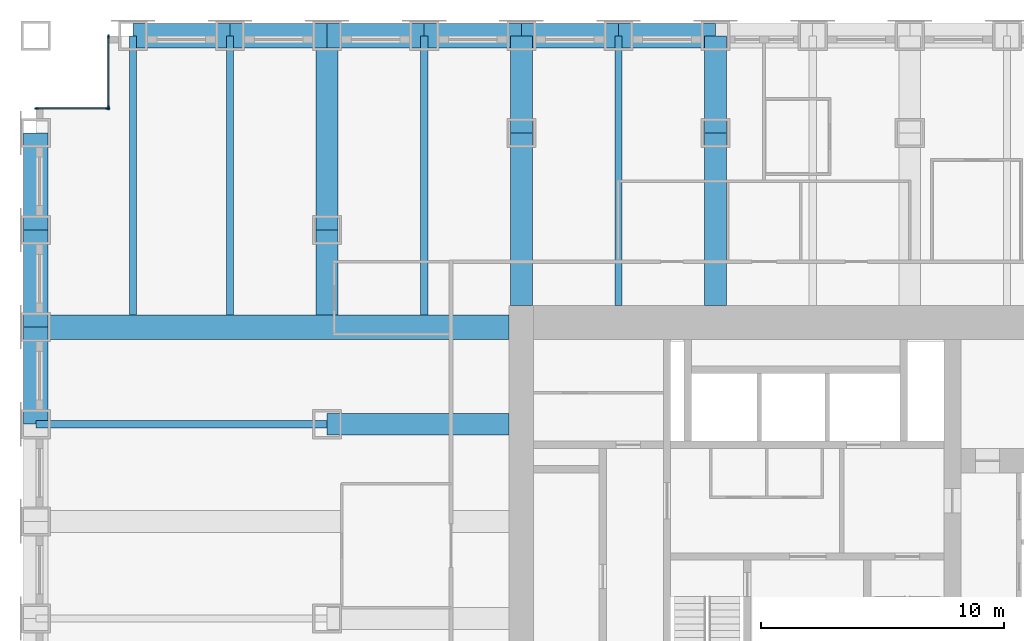
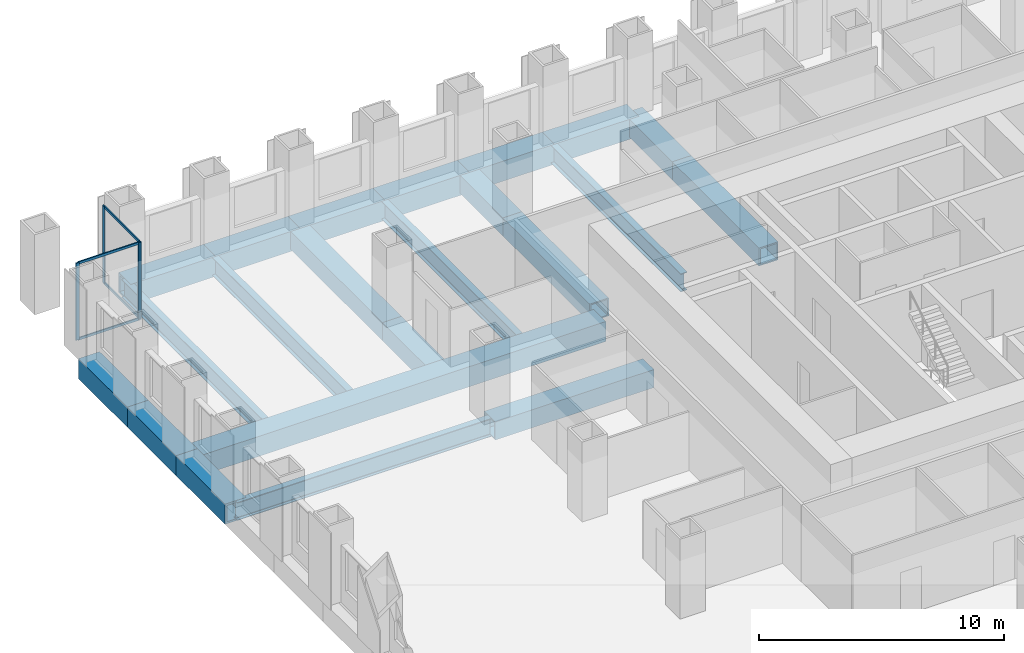
# One storey, part 5 of 14: 22 beams, 8 members, 2 elements without a shape of their own.
"""IFC4 building model written with IfcOpenShell, lengths in metres."""

from ifc_helpers import new_model, si_unit, direction, frame, origin, origin_2d, place, context, subcontext, project, spatial, rectangle, hollow_rectangle, i_section, extrude, material, material_profile, profile_set, type_object, element, aggregate, save


model = new_model("IFC4")

# Units and contexts
model_context = context("Model", 3, precision=1e-05, world=origin(), true_north=direction((0.0, 1.0)))
body_context = subcontext(model_context, "Body", "Model", "MODEL_VIEW")
ifc_project = project(units=[si_unit("LENGTHUNIT", "METRE"), si_unit("AREAUNIT", "SQUARE_METRE"), si_unit("VOLUMEUNIT", "CUBIC_METRE"), si_unit("PLANEANGLEUNIT", "RADIAN"), si_unit("MASSUNIT", "GRAM", prefix="KILO")], contexts=[model_context])

# Site, building, storey
site_placement = place(None, origin())
site = spatial("IfcSite", under=ifc_project, at=site_placement, CompositionType="ELEMENT")
building_placement = place(site_placement, origin())
building = spatial("IfcBuilding", under=site, at=building_placement, Name="Rimbunsela Tower", CompositionType="ELEMENT")
storey_placement = place(building_placement, frame((0.0, 0.0, 55.0)))
storey = spatial("IfcBuildingStorey", under=building, at=storey_placement, Name="L13", CompositionType="ELEMENT", Elevation=55.0)

# Beams
ifc_material_1 = material(Name="Steel BJ 55 (fy 410 MPa)", Category="steel")
ifc_material_profile_1 = material_profile(ifc_material_1, hollow_rectangle(XDim=1.0, YDim=1.0, WallThickness=0.10009765625, at=origin_2d()), Name="BOX 1000x1000x100")
ifc_profile_set_1 = profile_set([ifc_material_profile_1], Name="Steel BJ 55 (fy 410 MPa)")
beam_type_1 = type_object("IfcBeamType", Name="Beam BOX 1000x1000x100", PredefinedType="BEAM", material=ifc_profile_set_1)
for number, where, z_axis, x_axis, name in (
    (1, (-2.0, 32.0, -0.64990234375), (0.0, 1.0, 0.0), (-1.0, 0.0, 0.0), "Beam B3 L13"),
    (2, (-2.0, 36.0, -0.64990234375), (0.0, 1.0, 0.0), (-1.0, 0.0, 0.0), "Beam B3 L13"),
):
    element("IfcBeam", number, at=place(storey_placement, frame(where, z_axis=z_axis, x_axis=x_axis)), inside=storey, type_object=beam_type_1, Name=name, PredefinedType="BEAM", context=body_context, shape_type="SweptSolid", body=[
        extrude(hollow_rectangle(XDim=1.0, YDim=1.0, WallThickness=0.10009765625, at=origin_2d()), origin(), (0.0, 0.0, 1.0), 4.0),
    ])
beam_1_placement = place(storey_placement, frame((-2.0, 36.0, -0.64990234375), z_axis=(1.0, 0.0, 0.0), x_axis=(0.0, 1.0, 0.0)))
element("IfcBeam", 3, at=beam_1_placement, inside=storey, type_object=beam_type_1, Name="Beam B3 L13", PredefinedType="BEAM", context=body_context, shape_type="SweptSolid", body=[
    extrude(hollow_rectangle(XDim=1.0, YDim=1.0, WallThickness=0.10009765625, at=origin_2d()), origin(), (0.0, 0.0, 1.0), 19.5),
])
for number, where, z_axis, x_axis, name in (
    (4, (-2.0, 40.0, -0.64990234375), (0.0, 1.0, 0.0), (-1.0, 0.0, 0.0), "Beam B3 L13"),
    (5, (2.0, 48.0, -0.64990234375), (1.0, 0.0, 0.0), (0.0, 1.0, 0.0), "Beam B3 L13"),
    (6, (6.0, 48.0, -0.64990234375), (1.0, 0.0, 0.0), (0.0, 1.0, 0.0), "Beam B3 L13"),
    (7, (10.0, 48.0, -0.64990234375), (1.0, 0.0, 0.0), (0.0, 1.0, 0.0), "Beam B3 L13"),
    (8, (14.0, 48.0, -0.64990234375), (1.0, 0.0, 0.0), (0.0, 1.0, 0.0), "Beam B3 L13"),
    (9, (18.0, 48.0, -0.64990234375), (1.0, 0.0, 0.0), (0.0, 1.0, 0.0), "Beam B3 L13"),
    (10, (22.0, 48.0, -0.64990234375), (1.0, 0.0, 0.0), (0.0, 1.0, 0.0), "Beam B3 L13"),
):
    element("IfcBeam", number, at=place(storey_placement, frame(where, z_axis=z_axis, x_axis=x_axis)), inside=storey, type_object=beam_type_1, Name=name, PredefinedType="BEAM", context=body_context, shape_type="SweptSolid", body=[
        extrude(hollow_rectangle(XDim=1.0, YDim=1.0, WallThickness=0.10009765625, at=origin_2d()), origin(), (0.0, 0.0, 1.0), 4.0),
    ])
ifc_material_2 = material(Name="Steel BJ 55 (fy 410 MPa)", Category="steel")
ifc_material_profile_2 = material_profile(ifc_material_2, hollow_rectangle(XDim=0.89990234375, YDim=0.89990234375, WallThickness=0.06005859375, at=origin_2d()), Name="BOX 900x900x60")
ifc_profile_set_2 = profile_set([ifc_material_profile_2], Name="Steel BJ 55 (fy 410 MPa)")
beam_type_2 = type_object("IfcBeamType", Name="Beam BOX 900x900x60", PredefinedType="BEAM", material=ifc_profile_set_2)
beam_2_placement = place(storey_placement, frame((10.0, 32.0, -0.60009765625), z_axis=(1.0, 0.0, 0.0), x_axis=(0.0, 1.0, 0.0)))
element("IfcBeam", 11, at=beam_2_placement, inside=storey, type_object=beam_type_2, Name="Beam B1 L13", PredefinedType="BEAM", context=body_context, shape_type="SweptSolid", body=[
    extrude(hollow_rectangle(XDim=0.89990234375, YDim=0.89990234375, WallThickness=0.06005859375, at=origin_2d()), origin(), (0.0, 0.0, 1.0), 7.5),
])
beam_3_placement = place(storey_placement, frame((10.0, 36.5, -0.60009765625), z_axis=(0.0, 1.0, 0.0), x_axis=(-1.0, 0.0, 0.0)))
element("IfcBeam", 12, at=beam_3_placement, inside=storey, type_object=beam_type_2, Name="Beam B1 L13", PredefinedType="BEAM", context=body_context, shape_type="SweptSolid", body=[
    extrude(hollow_rectangle(XDim=0.89990234375, YDim=0.89990234375, WallThickness=0.06005859375, at=origin_2d()), origin(), (0.0, 0.0, 1.0), 3.5),
])
beam_4_placement = place(storey_placement, frame((10.0, 40.0, -0.60009765625), z_axis=(0.0, 1.0, 0.0), x_axis=(-1.0, 0.0, 0.0)))
element("IfcBeam", 13, at=beam_4_placement, inside=storey, type_object=beam_type_2, Name="Beam B1 L13", PredefinedType="BEAM", context=body_context, shape_type="SweptSolid", body=[
    extrude(hollow_rectangle(XDim=0.89990234375, YDim=0.89990234375, WallThickness=0.06005859375, at=origin_2d()), origin(), (0.0, 0.0, 1.0), 8.0),
])
beam_5_placement = place(storey_placement, frame((18.0, 36.89990234375, -0.60009765625), z_axis=(0.0, 1.0, 0.0), x_axis=(-1.0, 0.0, 0.0)))
element("IfcBeam", 14, at=beam_5_placement, inside=storey, type_object=beam_type_2, Name="Beam B1 L13", PredefinedType="BEAM", context=body_context, shape_type="SweptSolid", body=[
    extrude(hollow_rectangle(XDim=0.89990234375, YDim=0.89990234375, WallThickness=0.06005859375, at=origin_2d()), origin(), (0.0, 0.0, 1.0), 7.10009765625),
])
beam_6_placement = place(storey_placement, frame((18.0, 44.0, -0.60009765625), z_axis=(0.0, 1.0, 0.0), x_axis=(-1.0, 0.0, 0.0)))
element("IfcBeam", 15, at=beam_6_placement, inside=storey, type_object=beam_type_2, Name="Beam B1 L13", PredefinedType="BEAM", context=body_context, shape_type="SweptSolid", body=[
    extrude(hollow_rectangle(XDim=0.89990234375, YDim=0.89990234375, WallThickness=0.06005859375, at=origin_2d()), origin(), (0.0, 0.0, 1.0), 4.0),
])
beam_7_placement = place(storey_placement, frame((26.0, 36.89990234375, -0.60009765625), z_axis=(0.0, 1.0, 0.0), x_axis=(-1.0, 0.0, 0.0)))
element("IfcBeam", 16, at=beam_7_placement, inside=storey, type_object=beam_type_2, Name="Beam B1 L13", PredefinedType="BEAM", context=body_context, shape_type="SweptSolid", body=[
    extrude(hollow_rectangle(XDim=0.89990234375, YDim=0.89990234375, WallThickness=0.06005859375, at=origin_2d()), origin(), (0.0, 0.0, 1.0), 7.10009765625),
])
beam_8_placement = place(storey_placement, frame((26.0, 44.0, -0.60009765625), z_axis=(0.0, 1.0, 0.0), x_axis=(-1.0, 0.0, 0.0)))
element("IfcBeam", 17, at=beam_8_placement, inside=storey, type_object=beam_type_2, Name="Beam B1 L13", PredefinedType="BEAM", context=body_context, shape_type="SweptSolid", body=[
    extrude(hollow_rectangle(XDim=0.89990234375, YDim=0.89990234375, WallThickness=0.06005859375, at=origin_2d()), origin(), (0.0, 0.0, 1.0), 4.0),
])
ifc_material_3 = material(Name="Steel BJ 55 (fy 410 MPa)", Category="steel")
ifc_material_profile_3 = material_profile(ifc_material_3, i_section(OverallWidth=0.300048828125, OverallDepth=0.89990234375, WebThickness=0.01611328125, FlangeThickness=0.028076171875, FilletRadius=0.028076171875, at=origin_2d()), Name="H 900x300x16x28")
ifc_profile_set_3 = profile_set([ifc_material_profile_3], Name="Steel BJ 55 (fy 410 MPa)")
beam_type_3 = type_object("IfcBeamType", Name="Beam H 900x300x16x28", PredefinedType="BEAM", material=ifc_profile_set_3)
beam_9_placement = place(storey_placement, frame((-2.0, 32.0, -0.60009765625), z_axis=(1.0, 0.0, 0.0), x_axis=(0.0, 1.0, 0.0)))
element("IfcBeam", 18, at=beam_9_placement, inside=storey, type_object=beam_type_3, Name="Beam B2 L13", PredefinedType="BEAM", context=body_context, shape_type="SweptSolid", body=[
    extrude(i_section(OverallWidth=0.300048828125, OverallDepth=0.89990234375, WebThickness=0.01611328125, FlangeThickness=0.028076171875, FilletRadius=0.028076171875, at=origin_2d()), origin(), (0.0, 0.0, 1.0), 12.0),
])
for number, where, z_axis, x_axis, name in (
    (19, (2.0, 36.5, -0.60009765625), (0.0, 1.0, 0.0), (-1.0, 0.0, 0.0), "Beam B2 L13"),
    (20, (6.0, 36.5, -0.60009765625), (0.0, 1.0, 0.0), (-1.0, 0.0, 0.0), "Beam B2 L13"),
    (21, (14.0, 36.5, -0.60009765625), (0.0, 1.0, 0.0), (-1.0, 0.0, 0.0), "Beam B2 L13"),
):
    element("IfcBeam", number, at=place(storey_placement, frame(where, z_axis=z_axis, x_axis=x_axis)), inside=storey, type_object=beam_type_3, Name=name, PredefinedType="BEAM", context=body_context, shape_type="SweptSolid", body=[
        extrude(i_section(OverallWidth=0.300048828125, OverallDepth=0.89990234375, WebThickness=0.01611328125, FlangeThickness=0.028076171875, FilletRadius=0.028076171875, at=origin_2d()), origin(), (0.0, 0.0, 1.0), 11.5),
    ])
beam_10_placement = place(storey_placement, frame((22.0, 36.89990234375, -0.60009765625), z_axis=(0.0, 1.0, 0.0), x_axis=(-1.0, 0.0, 0.0)))
element("IfcBeam", 22, at=beam_10_placement, inside=storey, type_object=beam_type_3, Name="Beam B2 L13", PredefinedType="BEAM", context=body_context, shape_type="SweptSolid", body=[
    extrude(i_section(OverallWidth=0.300048828125, OverallDepth=0.89990234375, WebThickness=0.01611328125, FlangeThickness=0.028076171875, FilletRadius=0.028076171875, at=origin_2d()), origin(), (0.0, 0.0, 1.0), 11.10009765625),
])

# Curtain wall, members
ifc_material_4 = material(Name="Aluminium curtain wall", Category="aluminium")
curtain_wall_type = type_object("IfcCurtainWallType", Name="Corner glazing", PredefinedType="USERDEFINED", material=ifc_material_4)
curtain_wall_1_placement = place(storey_placement, origin())
curtain_wall_1 = element("IfcCurtainWall", 23, at=curtain_wall_1_placement, inside=storey, type_object=curtain_wall_type, Name="Corner glazing L13", ObjectType="CORNER GLAZING", PredefinedType="USERDEFINED")
ifc_material_5 = material(Name="Aluminium mullion", Category="aluminium")
ifc_material_profile_4 = material_profile(ifc_material_5, rectangle(XDim=0.06005859375, YDim=0.159912109375, at=origin_2d()), Name="Mullion 60x160")
ifc_profile_set_4 = profile_set([ifc_material_profile_4], Name="Aluminium mullion")
member_type_1 = type_object("IfcMemberType", Name="Curtain wall mullion 60x160", PredefinedType="MULLION", material=ifc_profile_set_4)
member_1_placement = place(storey_placement, frame((1.0, 47.969970703125, 0.0), z_axis=(0.0, 0.0, 1.0), x_axis=(1.0, 0.0, 0.0)))
member_1 = element("IfcMember", 24, at=member_1_placement, type_object=member_type_1, Name="CW5 mullion 1", PredefinedType="MULLION", context=body_context, shape_type="SweptSolid", body=[
    extrude(rectangle(XDim=0.06005859375, YDim=0.159912109375, at=origin_2d()), origin(), (0.0, 0.0, 1.0), 3.85009765625),
])
member_2_placement = place(storey_placement, frame((1.0, 45.030029296875, 0.0), z_axis=(0.0, 0.0, 1.0), x_axis=(1.0, 0.0, 0.0)))
member_2 = element("IfcMember", 25, at=member_2_placement, type_object=member_type_1, Name="CW5 mullion 2", PredefinedType="MULLION", context=body_context, shape_type="SweptSolid", body=[
    extrude(rectangle(XDim=0.06005859375, YDim=0.159912109375, at=origin_2d()), origin(), (0.0, 0.0, 1.0), 3.85009765625),
])

curtain_wall_2_placement = place(storey_placement, origin())
curtain_wall_2 = element("IfcCurtainWall", 26, at=curtain_wall_2_placement, inside=storey, type_object=curtain_wall_type, Name="Corner glazing L13", ObjectType="CORNER GLAZING", PredefinedType="USERDEFINED")
member_3_placement = place(storey_placement, frame((0.969970703125, 45.0, 0.0), z_axis=(0.0, 0.0, 1.0), x_axis=(0.0, -1.0, 0.0)))
member_3 = element("IfcMember", 27, at=member_3_placement, type_object=member_type_1, Name="CW5 mullion 1", PredefinedType="MULLION", context=body_context, shape_type="SweptSolid", body=[
    extrude(rectangle(XDim=0.06005859375, YDim=0.159912109375, at=origin_2d()), origin(), (0.0, 0.0, 1.0), 3.85009765625),
])
member_4_placement = place(storey_placement, frame((-1.969970703125, 45.0, 0.0), z_axis=(0.0, 0.0, 1.0), x_axis=(0.0, -1.0, 0.0)))
member_4 = element("IfcMember", 28, at=member_4_placement, type_object=member_type_1, Name="CW5 mullion 2", PredefinedType="MULLION", context=body_context, shape_type="SweptSolid", body=[
    extrude(rectangle(XDim=0.06005859375, YDim=0.159912109375, at=origin_2d()), origin(), (0.0, 0.0, 1.0), 3.85009765625),
])

# Member
ifc_material_6 = material(Name="Aluminium transom", Category="aluminium")
ifc_material_profile_5 = material_profile(ifc_material_6, rectangle(XDim=0.06005859375, YDim=0.1201171875, at=origin_2d()), Name="Transom 60x120")
ifc_profile_set_5 = profile_set([ifc_material_profile_5], Name="Aluminium transom")
member_type_2 = type_object("IfcMemberType", Name="Curtain wall transom 60x120", PredefinedType="USERDEFINED", material=ifc_profile_set_5)
member_5_placement = place(storey_placement, frame((1.0, 47.93994140625, 0.030029296875), z_axis=(0.0, -1.0, 0.0), x_axis=(1.0, 0.0, 0.0)))
member_5 = element("IfcMember", 29, at=member_5_placement, type_object=member_type_2, Name="CW5 transom 1.1", ObjectType="TRANSOM", PredefinedType="USERDEFINED", context=body_context, shape_type="SweptSolid", body=[
    extrude(rectangle(XDim=0.06005859375, YDim=0.1201171875, at=origin_2d()), origin(), (0.0, 0.0, 1.0), 2.8798828125),
])

member_6_placement = place(storey_placement, frame((1.0, 47.93994140625, 3.820068359375), z_axis=(0.0, -1.0, 0.0), x_axis=(1.0, 0.0, 0.0)))
member_6 = element("IfcMember", 30, at=member_6_placement, type_object=member_type_2, Name="CW5 transom 1.2", ObjectType="TRANSOM", PredefinedType="USERDEFINED", context=body_context, shape_type="SweptSolid", body=[
    extrude(rectangle(XDim=0.06005859375, YDim=0.1201171875, at=origin_2d()), origin(), (0.0, 0.0, 1.0), 2.8798828125),
])

aggregate(curtain_wall_1, [member_1, member_2, member_5, member_6])

member_7_placement = place(storey_placement, frame((0.93994140625, 45.0, 0.030029296875), z_axis=(-1.0, 0.0, 0.0), x_axis=(0.0, -1.0, 0.0)))
member_7 = element("IfcMember", 31, at=member_7_placement, type_object=member_type_2, Name="CW5 transom 1.1", ObjectType="TRANSOM", PredefinedType="USERDEFINED", context=body_context, shape_type="SweptSolid", body=[
    extrude(rectangle(XDim=0.06005859375, YDim=0.1201171875, at=origin_2d()), origin(), (0.0, 0.0, 1.0), 2.8798828125),
])

member_8_placement = place(storey_placement, frame((0.93994140625, 45.0, 3.820068359375), z_axis=(-1.0, 0.0, 0.0), x_axis=(0.0, -1.0, 0.0)))
member_8 = element("IfcMember", 32, at=member_8_placement, type_object=member_type_2, Name="CW5 transom 1.2", ObjectType="TRANSOM", PredefinedType="USERDEFINED", context=body_context, shape_type="SweptSolid", body=[
    extrude(rectangle(XDim=0.06005859375, YDim=0.1201171875, at=origin_2d()), origin(), (0.0, 0.0, 1.0), 2.8798828125),
])

aggregate(curtain_wall_2, [member_3, member_4, member_7, member_8])

save(model, "model.ifc")
